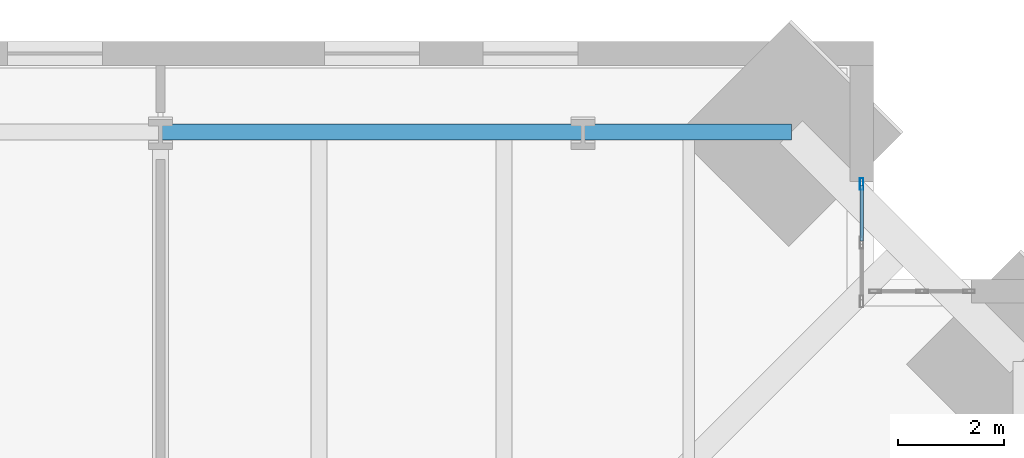
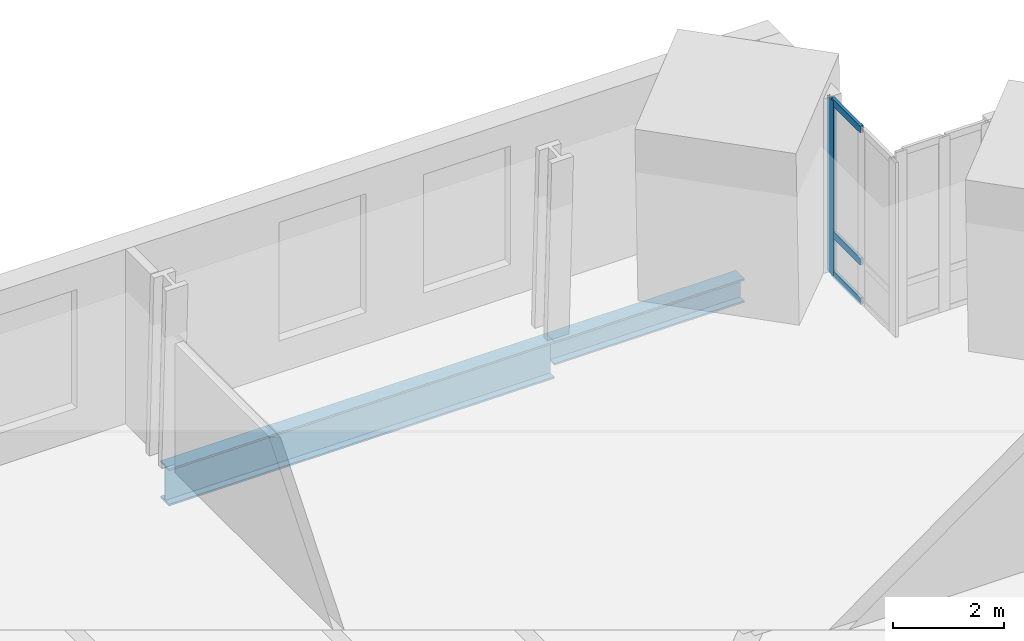
# One storey, part 11 of 18: 4 members, 2 beams, 1 element without a shape of its own.
"""IFC4 building model written with IfcOpenShell, lengths in metres."""

from ifc_helpers import new_model, si_unit, direction, frame, origin, origin_2d, place, context, subcontext, project, spatial, hollow_rectangle, i_section, extrude, material, material_profile, profile_set, type_object, element, aggregate, save


model = new_model("IFC4")

# Units and contexts
model_context = context("Model", 3, precision=1e-05, world=origin(), true_north=direction((0.0, 1.0)))
body_context = subcontext(model_context, "Body", "Model", "MODEL_VIEW")
ifc_project = project(units=[si_unit("LENGTHUNIT", "METRE"), si_unit("AREAUNIT", "SQUARE_METRE"), si_unit("VOLUMEUNIT", "CUBIC_METRE"), si_unit("PLANEANGLEUNIT", "RADIAN"), si_unit("MASSUNIT", "GRAM", prefix="KILO")], contexts=[model_context])

# Site, building, storey
site_placement = place(None, origin())
site = spatial("IfcSite", under=ifc_project, at=site_placement, CompositionType="ELEMENT")
building_placement = place(site_placement, origin())
building = spatial("IfcBuilding", under=site, at=building_placement, Name="Peilmerk Tower", CompositionType="ELEMENT")
storey_placement = place(building_placement, frame((0.0, 0.0, 163.800048828125)))
storey = spatial("IfcBuildingStorey", under=building, at=storey_placement, Name="L34", CompositionType="ELEMENT", Elevation=163.800048828125)

# Beams
ifc_material_1 = material(Name="Steel S355", Category="steel")
ifc_material_profile_1 = material_profile(ifc_material_1, i_section(OverallWidth=0.302978515625, OverallDepth=0.81396484375, WebThickness=0.02099609375, FlangeThickness=0.0400390625, at=origin_2d()), Name="HEM 800")
ifc_profile_set_1 = profile_set([ifc_material_profile_1], Name="Steel S355")
beam_type_1 = type_object("IfcBeamType", Name="B15 HEM 800 edge beam", PredefinedType="SPANDREL", material=ifc_profile_set_1)
beam_1_placement = place(storey_placement, frame((16.0, 24.2919921875, -0.5771484375), z_axis=(-1.0, 0.0, 0.0), x_axis=(0.0, -1.0, 0.0)))
element("IfcBeam", 1, at=beam_1_placement, inside=storey, type_object=beam_type_1, Name="Edge beam L34", PredefinedType="SPANDREL", context=body_context, shape_type="SweptSolid", body=[
    extrude(i_section(OverallWidth=0.302978515625, OverallDepth=0.81396484375, WebThickness=0.02099609375, FlangeThickness=0.0400390625, at=origin_2d()), origin(), (0.0, 0.0, 1.0), 8.0),
])
ifc_material_profile_2 = material_profile(ifc_material_1, i_section(OverallWidth=0.305908203125, OverallDepth=0.52392578125, WebThickness=0.02099609375, FlangeThickness=0.0400390625, at=origin_2d()), Name="HEM 500")
ifc_profile_set_2 = profile_set([ifc_material_profile_2], Name="Steel S355")
beam_type_2 = type_object("IfcBeamType", Name="B33 HEM 500 edge beam", PredefinedType="SPANDREL", material=ifc_profile_set_2)
beam_2_placement = place(storey_placement, frame((19.94189453125, 24.2919921875, -0.43212890625), z_axis=(-1.0, 0.0, 0.0), x_axis=(0.0, -1.0, 0.0)))
element("IfcBeam", 2, at=beam_2_placement, inside=storey, type_object=beam_type_2, Name="Edge beam L34", PredefinedType="SPANDREL", context=body_context, shape_type="SweptSolid", body=[
    extrude(i_section(OverallWidth=0.305908203125, OverallDepth=0.52392578125, WebThickness=0.02099609375, FlangeThickness=0.0400390625, at=origin_2d()), origin(), (0.0, 0.0, 1.0), 3.94189453125),
])

# Curtain wall, members
ifc_material_2 = material(Name="Aluminium stick curtain wall", Category="aluminium")
curtain_wall_type = type_object("IfcCurtainWallType", Name="CW3 stick curtain wall, 2250 module", PredefinedType="NOTDEFINED", material=ifc_material_2)
curtain_wall_placement = place(storey_placement, origin())
curtain_wall = element("IfcCurtainWall", 3, at=curtain_wall_placement, inside=storey, type_object=curtain_wall_type, Name="Curtain wall CW3 NEA L34", PredefinedType="NOTDEFINED")
ifc_material_3 = material(Name="Aluminium EN AW-6063 T6", Category="aluminium")
ifc_material_profile_3 = material_profile(ifc_material_3, hollow_rectangle(XDim=0.06494140625, YDim=0.22509765625, WallThickness=0.00390625, at=origin_2d()), Name="AL 225x65x4")
ifc_profile_set_3 = profile_set([ifc_material_profile_3], Name="Aluminium EN AW-6063 T6")
member_type_1 = type_object("IfcMemberType", Name="CW3-M AL 225x65x4 mullion", PredefinedType="MULLION", material=ifc_profile_set_3)
member_1_placement = place(storey_placement, frame((21.27490234375, 23.30615234375, 0.0), z_axis=(0.0, 0.0, 1.0), x_axis=(-1.0, 0.0, 0.0)))
member_1 = element("IfcMember", 4, at=member_1_placement, type_object=member_type_1, Name="CW3 mullion 3", PredefinedType="MULLION", context=body_context, shape_type="SweptSolid", body=[
    extrude(hollow_rectangle(XDim=0.06494140625, YDim=0.22509765625, WallThickness=0.00390625, at=origin_2d()), origin(), (0.0, 0.0, 1.0), 3.829833984375),
])
ifc_material_profile_4 = material_profile(ifc_material_3, hollow_rectangle(XDim=0.06494140625, YDim=0.14990234375, WallThickness=0.0029296875, at=origin_2d()), Name="AL 150x65x3")
ifc_profile_set_4 = profile_set([ifc_material_profile_4], Name="Aluminium EN AW-6063 T6")
member_type_2 = type_object("IfcMemberType", Name="CW3-T AL 150x65x3 transom", PredefinedType="USERDEFINED", material=ifc_profile_set_4)
member_2_placement = place(storey_placement, frame((21.27490234375, 22.226806640625, 0.032470703125), z_axis=(0.0, 1.0, 0.0), x_axis=(-1.0, 0.0, 0.0)))
member_2 = element("IfcMember", 5, at=member_2_placement, type_object=member_type_2, Name="CW3 transom 2.1", ObjectType="TRANSOM", PredefinedType="USERDEFINED", context=body_context, shape_type="SweptSolid", body=[
    extrude(hollow_rectangle(XDim=0.06494140625, YDim=0.14990234375, WallThickness=0.0029296875, at=origin_2d()), origin(), (0.0, 0.0, 1.0), 1.046875),
])
member_3_placement = place(storey_placement, frame((21.27490234375, 22.226806640625, 0.89990234375), z_axis=(0.0, 1.0, 0.0), x_axis=(-1.0, 0.0, 0.0)))
member_3 = element("IfcMember", 6, at=member_3_placement, type_object=member_type_2, Name="CW3 transom 2.2", ObjectType="TRANSOM", PredefinedType="USERDEFINED", context=body_context, shape_type="SweptSolid", body=[
    extrude(hollow_rectangle(XDim=0.06494140625, YDim=0.14990234375, WallThickness=0.0029296875, at=origin_2d()), origin(), (0.0, 0.0, 1.0), 1.046875),
])
member_4_placement = place(storey_placement, frame((21.27490234375, 22.226806640625, 3.79736328125), z_axis=(0.0, 1.0, 0.0), x_axis=(-1.0, 0.0, 0.0)))
member_4 = element("IfcMember", 7, at=member_4_placement, type_object=member_type_2, Name="CW3 transom 2.3", ObjectType="TRANSOM", PredefinedType="USERDEFINED", context=body_context, shape_type="SweptSolid", body=[
    extrude(hollow_rectangle(XDim=0.06494140625, YDim=0.14990234375, WallThickness=0.0029296875, at=origin_2d()), origin(), (0.0, 0.0, 1.0), 1.046875),
])
aggregate(curtain_wall, [member_1, member_2, member_3, member_4])

save(model, "model.ifc")
